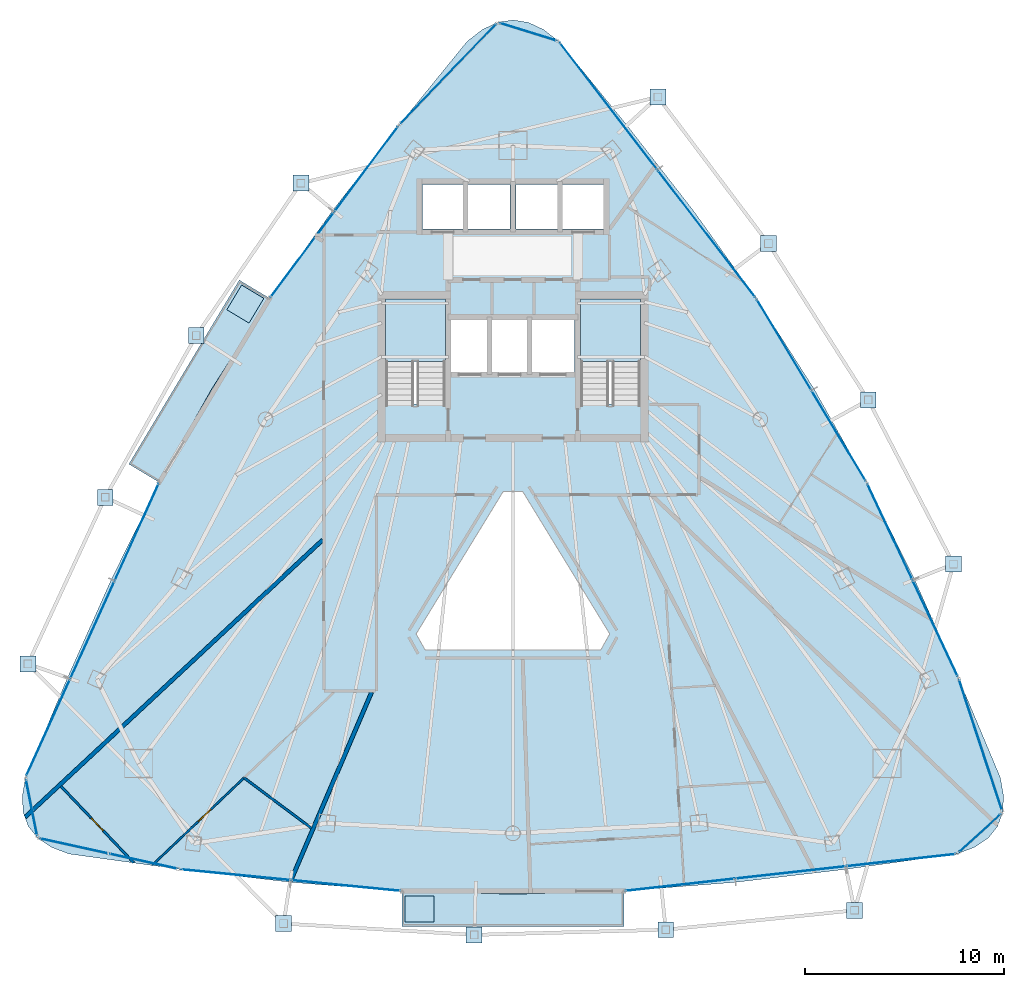
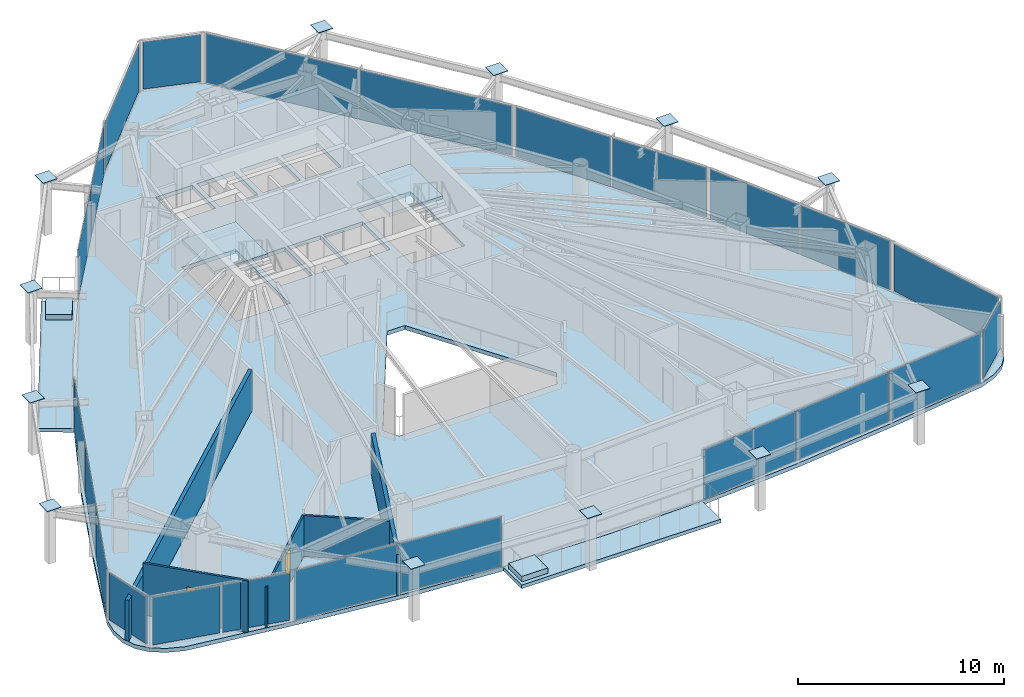
# One storey, part 23 of 29: 35 plates, 7 slabs, 5 walls, 2 doors, 2 openings, 15 elements without a shape of their own.
"""IFC4 building model written with IfcOpenShell, lengths in metres."""

from ifc_helpers import new_model, si_unit, direction, frame, frame_2d, origin, origin_2d, place, context, subcontext, project, spatial, polyline, rectangle, outline, extrude, material, layer, layer_set, type_object, element, fill, aggregate, save


model = new_model("IFC4")

# Units and contexts
model_context = context("Model", 3, precision=1e-05, world=origin(), true_north=direction((0.0, 1.0)))
body_context = subcontext(model_context, "Body", "Model", "MODEL_VIEW")
ifc_project = project(units=[si_unit("LENGTHUNIT", "METRE"), si_unit("AREAUNIT", "SQUARE_METRE"), si_unit("VOLUMEUNIT", "CUBIC_METRE"), si_unit("PLANEANGLEUNIT", "RADIAN"), si_unit("MASSUNIT", "GRAM", prefix="KILO")], contexts=[model_context])

# Site, building, storey
site_placement = place(None, origin())
site = spatial("IfcSite", under=ifc_project, at=site_placement, CompositionType="ELEMENT")
building_placement = place(site_placement, origin())
building = spatial("IfcBuilding", under=site, at=building_placement, Name="Orvanel Arch Residences", CompositionType="ELEMENT")
storey_placement = place(building_placement, frame((0.0, 0.0, 177.050048828125)))
storey = spatial("IfcBuildingStorey", under=building, at=storey_placement, Name="L50", CompositionType="ELEMENT", Elevation=177.050048828125)

# Plates
ifc_material_1 = material(Name="Structural steel AS/NZS 3678 Grade 350", Category="steel")
ifc_layer_1 = layer(ifc_material_1, 0.031982421875)
ifc_layer_set_1 = layer_set([ifc_layer_1], Name="Structural steel AS/NZS 3678 Grade 350")
plate_type_1 = type_object("IfcPlateType", Name="PL-CAP-32", PredefinedType="SHEET", material=ifc_layer_set_1)
for number, where, z_axis, x_axis, name in (
    (1, (22.343017578125, 39.511962890625, 3.2841796875), (0.0, 0.0, 1.0), (1.0, 0.0, 0.0), "L50 hollow member end cap plate"),
    (2, (17.0859375, 31.85302734375, 3.2841796875), (0.0, 0.0, 1.0), (1.0, 0.0, 0.0), "L50 hollow member end cap plate"),
    (3, (12.514892578125, 23.72802734375, 3.2841796875), (0.0, 0.0, 1.0), (1.0, 0.0, 0.0), "L50 hollow member end cap plate"),
    (4, (8.632080078125, 15.35888671875, 3.2841796875), (0.0, 0.0, 1.0), (1.0, 0.0, 0.0), "L50 hollow member end cap plate"),
    (5, (21.472900390625, 2.31201171875, 3.2841796875), (0.0, 0.0, 1.0), (1.0, 0.0, 0.0), "L50 hollow member end cap plate"),
    (6, (31.052978515625, 1.743896484375, 3.2841796875), (0.0, 0.0, 1.0), (1.0, 0.0, 0.0), "L50 hollow member end cap plate"),
    (7, (40.677978515625, 2.0029296875, 3.2841796875), (0.0, 0.0, 1.0), (1.0, 0.0, 0.0), "L50 hollow member end cap plate"),
    (8, (50.1630859375, 2.97705078125, 3.2841796875), (0.0, 0.0, 1.0), (1.0, 0.0, 0.0), "L50 hollow member end cap plate"),
    (9, (55.135986328125, 20.3759765625, 3.2841796875), (0.0, 0.0, 1.0), (1.0, 0.0, 0.0), "L50 hollow member end cap plate"),
    (10, (50.85400390625, 28.6201171875, 3.2841796875), (0.0, 0.0, 1.0), (1.0, 0.0, 0.0), "L50 hollow member end cap plate"),
    (11, (45.8369140625, 36.47802734375, 3.2841796875), (0.0, 0.0, 1.0), (1.0, 0.0, 0.0), "L50 hollow member end cap plate"),
    (12, (40.281982421875, 43.843994140625, 3.2841796875), (0.0, 0.0, 1.0), (1.0, 0.0, 0.0), "L50 hollow member end cap plate"),
):
    element("IfcPlate", number, at=place(storey_placement, frame(where, z_axis=z_axis, x_axis=x_axis)), inside=storey, type_object=plate_type_1, Name=name, PredefinedType="SHEET", context=body_context, shape_type="SweptSolid", body=[
        extrude(rectangle(XDim=0.800048828125, YDim=0.800048828125, at=origin_2d()), origin(), (0.0, 0.0, 1.0), 0.031982421875),
    ])

# Curtain wall, plates
ifc_material_2 = material(Name="Bronze-anodised aluminium AA6063-T6", Category="aluminium")
ifc_layer_2 = layer(ifc_material_2, 0.179931640625)
ifc_layer_set_2 = layer_set([ifc_layer_2], Name="Bronze-anodised aluminium AA6063-T6")
curtain_wall_type_1 = type_object("IfcCurtainWallType", Name="CW3-MID-SYS", PredefinedType="NOTDEFINED", material=ifc_layer_set_2)
curtain_wall_1_placement = place(storey_placement, origin())
curtain_wall_1 = element("IfcCurtainWall", 13, at=curtain_wall_1_placement, inside=storey, type_object=curtain_wall_type_1, Name="L50 CW3-MID-SYS Unitised Curtain Wall", PredefinedType="NOTDEFINED")
ifc_material_3 = material(Name="Double-glazed solar-control low-E safety glass", Category="glass")
ifc_layer_3 = layer(ifc_material_3, 0.028076171875)
ifc_layer_set_3 = layer_set([ifc_layer_3], Name="Double-glazed solar-control low-E safety glass")
plate_type_2 = type_object("IfcPlateType", Name="PNL-GLZ-28", PredefinedType="CURTAIN_PANEL", material=ifc_layer_set_3)
plate_1_placement = place(storey_placement, frame((25.62255859375, 40.218017578125, 0.06005859375), z_axis=(0.0, 0.0, 1.0), x_axis=(-0.598279718492, -0.801287325771, 0.0)))
plate_1 = element("IfcPlate", 14, at=plate_1_placement, type_object=plate_type_2, Name="CW-S3 panel 1.1", PredefinedType="CURTAIN_PANEL", context=body_context, shape_type="SweptSolid", body=[
    extrude(rectangle(XDim=5.293701171875, YDim=0.028076171875, at=origin_2d()), origin(), (0.0, 0.0, 1.0), 2.93994140625),
])
plate_2_placement = place(storey_placement, frame((22.41357421875, 35.919921875, 0.06005859375), z_axis=(0.0, 0.0, 1.0), x_axis=(-0.598279718492, -0.801287325771, 0.0)))
plate_2 = element("IfcPlate", 15, at=plate_2_placement, type_object=plate_type_2, Name="CW-S3 panel 2.1", PredefinedType="CURTAIN_PANEL", context=body_context, shape_type="SweptSolid", body=[
    extrude(rectangle(XDim=5.293701171875, YDim=0.028076171875, at=origin_2d()), origin(), (0.0, 0.0, 1.0), 2.93994140625),
])
aggregate(curtain_wall_1, [plate_1, plate_2])

curtain_wall_2_placement = place(storey_placement, origin())
curtain_wall_2 = element("IfcCurtainWall", 16, at=curtain_wall_2_placement, inside=storey, type_object=curtain_wall_type_1, Name="L50 CW3-MID-SYS Unitised Curtain Wall", PredefinedType="NOTDEFINED")
plate_3_placement = place(storey_placement, frame((14.09765625, 21.9814453125, 0.06005859375), z_axis=(0.0, 0.0, 1.0), x_axis=(-0.412726386119, -0.910855054441, 0.0)))
plate_3 = element("IfcPlate", 17, at=plate_3_placement, type_object=plate_type_2, Name="CW-S3 panel 1.1", PredefinedType="CURTAIN_PANEL", context=body_context, shape_type="SweptSolid", body=[
    extrude(rectangle(XDim=5.30859375, YDim=0.028076171875, at=origin_2d()), origin(), (0.0, 0.0, 1.0), 2.93994140625),
])
plate_4_placement = place(storey_placement, frame((11.87060546875, 17.06640625, 0.06005859375), z_axis=(0.0, 0.0, 1.0), x_axis=(-0.412726386119, -0.910855054441, 0.0)))
plate_4 = element("IfcPlate", 18, at=plate_4_placement, type_object=plate_type_2, Name="CW-S3 panel 2.1", PredefinedType="CURTAIN_PANEL", context=body_context, shape_type="SweptSolid", body=[
    extrude(rectangle(XDim=5.343505859375, YDim=0.028076171875, at=origin_2d()), origin(), (0.0, 0.0, 1.0), 2.93994140625),
])
plate_5_placement = place(storey_placement, frame((9.643310546875, 12.1513671875, 0.06005859375), z_axis=(0.0, 0.0, 1.0), x_axis=(-0.412726386119, -0.910855054441, 0.0)))
plate_5 = element("IfcPlate", 19, at=plate_5_placement, type_object=plate_type_2, Name="CW-S3 panel 3.1", PredefinedType="CURTAIN_PANEL", context=body_context, shape_type="SweptSolid", body=[
    extrude(rectangle(XDim=5.30859375, YDim=0.028076171875, at=origin_2d()), origin(), (0.0, 0.0, 1.0), 2.93994140625),
])
aggregate(curtain_wall_2, [plate_3, plate_4, plate_5])

curtain_wall_3_placement = place(storey_placement, origin())
curtain_wall_3 = element("IfcCurtainWall", 20, at=curtain_wall_3_placement, inside=storey, type_object=curtain_wall_type_1, Name="L50 CW3-MID-SYS Unitised Curtain Wall", PredefinedType="NOTDEFINED")
plate_6_placement = place(storey_placement, frame((19.081787109375, 4.761962890625, 0.06005859375), z_axis=(0.0, 0.0, 1.0), x_axis=(0.995236362912, -0.097491445455, 0.0)))
plate_6 = element("IfcPlate", 21, at=plate_6_placement, type_object=plate_type_2, Name="CW-S3 panel 1.1", PredefinedType="CURTAIN_PANEL", context=body_context, shape_type="SweptSolid", body=[
    extrude(rectangle(XDim=5.480224609375, YDim=0.028076171875, at=origin_2d()), origin(), (0.0, 0.0, 1.0), 2.93994140625),
])
plate_7_placement = place(storey_placement, frame((24.605224609375, 4.220947265625, 0.06005859375), z_axis=(0.0, 0.0, 1.0), x_axis=(0.995236362912, -0.097491445455, 0.0)))
plate_7 = element("IfcPlate", 22, at=plate_7_placement, type_object=plate_type_2, Name="CW-S3 panel 2.1", PredefinedType="CURTAIN_PANEL", context=body_context, shape_type="SweptSolid", body=[
    extrude(rectangle(XDim=5.480224609375, YDim=0.028076171875, at=origin_2d()), origin(), (0.0, 0.0, 1.0), 2.93994140625),
])
aggregate(curtain_wall_3, [plate_6, plate_7])

curtain_wall_4_placement = place(storey_placement, origin())
curtain_wall_4 = element("IfcCurtainWall", 23, at=curtain_wall_4_placement, inside=storey, type_object=curtain_wall_type_1, Name="L50 CW3-MID-SYS Unitised Curtain Wall", PredefinedType="NOTDEFINED")
plate_8_placement = place(storey_placement, frame((41.39794921875, 4.25927734375, 0.06005859375), z_axis=(0.0, 0.0, 1.0), x_axis=(0.993838645003, 0.110836581045, 0.0)))
plate_8 = element("IfcPlate", 24, at=plate_8_placement, type_object=plate_type_2, Name="CW-S3 panel 1.1", PredefinedType="CURTAIN_PANEL", context=body_context, shape_type="SweptSolid", body=[
    extrude(rectangle(XDim=5.494873046875, YDim=0.028076171875, at=origin_2d()), origin(), (0.0, 0.0, 1.0), 2.93994140625),
])
plate_9_placement = place(storey_placement, frame((46.946044921875, 4.8779296875, 0.06005859375), z_axis=(0.0, 0.0, 1.0), x_axis=(0.993838645003, 0.110836581045, 0.0)))
plate_9 = element("IfcPlate", 25, at=plate_9_placement, type_object=plate_type_2, Name="CW-S3 panel 2.1", PredefinedType="CURTAIN_PANEL", context=body_context, shape_type="SweptSolid", body=[
    extrude(rectangle(XDim=5.52978515625, YDim=0.028076171875, at=origin_2d()), origin(), (0.0, 0.0, 1.0), 2.93994140625),
])
plate_10_placement = place(storey_placement, frame((52.493896484375, 5.496826171875, 0.06005859375), z_axis=(0.0, 0.0, 1.0), x_axis=(0.993838645003, 0.110836581045, 0.0)))
plate_10 = element("IfcPlate", 26, at=plate_10_placement, type_object=plate_type_2, Name="CW-S3 panel 3.1", PredefinedType="CURTAIN_PANEL", context=body_context, shape_type="SweptSolid", body=[
    extrude(rectangle(XDim=5.494873046875, YDim=0.028076171875, at=origin_2d()), origin(), (0.0, 0.0, 1.0), 2.93994140625),
])
aggregate(curtain_wall_4, [plate_8, plate_9, plate_10])

curtain_wall_5_placement = place(storey_placement, origin())
curtain_wall_5 = element("IfcCurtainWall", 27, at=curtain_wall_5_placement, inside=storey, type_object=curtain_wall_type_1, Name="L50 CW3-MID-SYS Unitised Curtain Wall", PredefinedType="NOTDEFINED")
plate_11_placement = place(storey_placement, frame((54.21484375, 17.14990234375, 0.06005859375), z_axis=(0.0, 0.0, 1.0), x_axis=(-0.425221547533, 0.905089296983, 0.0)))
plate_11 = element("IfcPlate", 28, at=plate_11_placement, type_object=plate_type_2, Name="CW-S3 panel 1.1", PredefinedType="CURTAIN_PANEL", context=body_context, shape_type="SweptSolid", body=[
    extrude(rectangle(XDim=5.29345703125, YDim=0.028076171875, at=origin_2d()), origin(), (0.0, 0.0, 1.0), 2.93994140625),
])
plate_12_placement = place(storey_placement, frame((51.93408203125, 22.004150390625, 0.06005859375), z_axis=(0.0, 0.0, 1.0), x_axis=(-0.425221547533, 0.905089296983, 0.0)))
plate_12 = element("IfcPlate", 29, at=plate_12_placement, type_object=plate_type_2, Name="CW-S3 panel 2.1", PredefinedType="CURTAIN_PANEL", context=body_context, shape_type="SweptSolid", body=[
    extrude(rectangle(XDim=5.29345703125, YDim=0.028076171875, at=origin_2d()), origin(), (0.0, 0.0, 1.0), 2.93994140625),
])
aggregate(curtain_wall_5, [plate_11, plate_12])

curtain_wall_6_placement = place(storey_placement, origin())
curtain_wall_6 = element("IfcCurtainWall", 30, at=curtain_wall_6_placement, inside=storey, type_object=curtain_wall_type_1, Name="L50 CW3-MID-SYS Unitised Curtain Wall", PredefinedType="NOTDEFINED")
plate_13_placement = place(storey_placement, frame((49.369384765625, 26.81591796875, 0.06005859375), z_axis=(0.0, 0.0, 1.0), x_axis=(-0.514413615102, 0.857542204558, 0.0)))
plate_13 = element("IfcPlate", 31, at=plate_13_placement, type_object=plate_type_2, Name="CW-S3 panel 1.1", PredefinedType="CURTAIN_PANEL", context=body_context, shape_type="SweptSolid", body=[
    extrude(rectangle(XDim=5.26611328125, YDim=0.028076171875, at=origin_2d()), origin(), (0.0, 0.0, 1.0), 2.93994140625),
])
plate_14_placement = place(storey_placement, frame((46.62451171875, 31.39208984375, 0.06005859375), z_axis=(0.0, 0.0, 1.0), x_axis=(-0.514413615102, 0.857542204558, 0.0)))
plate_14 = element("IfcPlate", 32, at=plate_14_placement, type_object=plate_type_2, Name="CW-S3 panel 2.1", PredefinedType="CURTAIN_PANEL", context=body_context, shape_type="SweptSolid", body=[
    extrude(rectangle(XDim=5.26611328125, YDim=0.028076171875, at=origin_2d()), origin(), (0.0, 0.0, 1.0), 2.93994140625),
])
aggregate(curtain_wall_6, [plate_13, plate_14])

curtain_wall_7_placement = place(storey_placement, origin())
curtain_wall_7 = element("IfcCurtainWall", 33, at=curtain_wall_7_placement, inside=storey, type_object=curtain_wall_type_1, Name="L50 CW3-MID-SYS Unitised Curtain Wall", PredefinedType="NOTDEFINED")
plate_15_placement = place(storey_placement, frame((42.727294921875, 36.976318359375, 0.06005859375), z_axis=(0.0, 0.0, 1.0), x_axis=(-0.60931790608, 0.792926030176, 0.0)))
plate_15 = element("IfcPlate", 34, at=plate_15_placement, type_object=plate_type_2, Name="CW-S3 panel 1.1", PredefinedType="CURTAIN_PANEL", context=body_context, shape_type="SweptSolid", body=[
    extrude(rectangle(XDim=8.015625, YDim=0.028076171875, at=origin_2d()), origin(), (0.0, 0.0, 1.0), 2.93994140625),
])
plate_16_placement = place(storey_placement, frame((37.80078125, 43.3876953125, 0.06005859375), z_axis=(0.0, 0.0, 1.0), x_axis=(-0.60931790608, 0.792926030176, 0.0)))
plate_16 = element("IfcPlate", 35, at=plate_16_placement, type_object=plate_type_2, Name="CW-S3 panel 2.1", PredefinedType="CURTAIN_PANEL", context=body_context, shape_type="SweptSolid", body=[
    extrude(rectangle(XDim=8.015625, YDim=0.028076171875, at=origin_2d()), origin(), (0.0, 0.0, 1.0), 2.93994140625),
])
aggregate(curtain_wall_7, [plate_15, plate_16])

# Curtain wall, plate
ifc_layer_4 = layer(ifc_material_2, 0.18994140625)
ifc_layer_set_4 = layer_set([ifc_layer_4], Name="Bronze-anodised aluminium AA6063-T6")
curtain_wall_type_2 = type_object("IfcCurtainWallType", Name="CW5-CRN-SYS", PredefinedType="NOTDEFINED", material=ifc_layer_set_4)
curtain_wall_8_placement = place(storey_placement, origin())
curtain_wall_8 = element("IfcCurtainWall", 36, at=curtain_wall_8_placement, inside=storey, type_object=curtain_wall_type_2, Name="L50 CW5-CRN-SYS Unitised Curtain Wall", PredefinedType="NOTDEFINED")
ifc_layer_5 = layer(ifc_material_3, 0.031982421875)
ifc_layer_set_5 = layer_set([ifc_layer_5], Name="Double-glazed solar-control low-E safety glass")
plate_type_3 = type_object("IfcPlateType", Name="PNL-GLZ-32", PredefinedType="CURTAIN_PANEL", material=ifc_layer_set_5)
plate_17_placement = place(storey_placement, frame((33.76806640625, 47.114990234375, 0.1298828125), z_axis=(0.0, 0.0, 1.0), x_axis=(-0.954848840778, 0.29709205857, 0.0)))
plate_17 = element("IfcPlate", 37, at=plate_17_placement, type_object=plate_type_3, Name="CW-S5 panel 1.1", PredefinedType="CURTAIN_PANEL", context=body_context, shape_type="SweptSolid", body=[
    extrude(rectangle(XDim=2.87744140625, YDim=0.031982421875, at=origin_2d()), origin(), (0.0, 0.0, 1.0), 2.800048828125),
])
aggregate(curtain_wall_8, [plate_17])

curtain_wall_9_placement = place(storey_placement, origin())
curtain_wall_9 = element("IfcCurtainWall", 38, at=curtain_wall_9_placement, inside=storey, type_object=curtain_wall_type_2, Name="L50 CW5-CRN-SYS Unitised Curtain Wall", PredefinedType="NOTDEFINED")
plate_18_placement = place(storey_placement, frame((29.74609375, 45.001953125, 0.1298828125), z_axis=(0.0, 0.0, 1.0), x_axis=(-0.692251972055, -0.721655878647, 0.0)))
plate_18 = element("IfcPlate", 39, at=plate_18_placement, type_object=plate_type_3, Name="CW-S5 panel 1.1", PredefinedType="CURTAIN_PANEL", context=body_context, shape_type="SweptSolid", body=[
    extrude(rectangle(XDim=6.841796875, YDim=0.031982421875, at=origin_2d()), origin(), (0.0, 0.0, 1.0), 2.800048828125),
])
aggregate(curtain_wall_9, [plate_18])

curtain_wall_10_placement = place(storey_placement, origin())
curtain_wall_10 = element("IfcCurtainWall", 40, at=curtain_wall_10_placement, inside=storey, type_object=curtain_wall_type_2, Name="L50 CW5-CRN-SYS Unitised Curtain Wall", PredefinedType="NOTDEFINED")
plate_19_placement = place(storey_placement, frame((8.81396484375, 8.132568359375, 0.1298828125), z_axis=(0.0, 0.0, 1.0), x_axis=(0.19555012898, -0.980693707054, 0.0)))
plate_19 = element("IfcPlate", 41, at=plate_19_placement, type_object=plate_type_3, Name="CW-S5 panel 1.1", PredefinedType="CURTAIN_PANEL", context=body_context, shape_type="SweptSolid", body=[
    extrude(rectangle(XDim=2.758056640625, YDim=0.031982421875, at=origin_2d()), origin(), (0.0, 0.0, 1.0), 2.800048828125),
])
aggregate(curtain_wall_10, [plate_19])

# Curtain wall, plates
curtain_wall_11_placement = place(storey_placement, origin())
curtain_wall_11 = element("IfcCurtainWall", 42, at=curtain_wall_11_placement, inside=storey, type_object=curtain_wall_type_2, Name="L50 CW5-CRN-SYS Unitised Curtain Wall", PredefinedType="NOTDEFINED")
plate_20_placement = place(storey_placement, frame((10.95068359375, 6.209228515625, 0.1298828125), z_axis=(0.0, 0.0, 1.0), x_axis=(0.97655096553, -0.2152863482, 0.0)))
plate_20 = element("IfcPlate", 43, at=plate_20_placement, type_object=plate_type_3, Name="CW-S5 panel 1.1", PredefinedType="CURTAIN_PANEL", context=body_context, shape_type="SweptSolid", body=[
    extrude(rectangle(XDim=3.414306640625, YDim=0.031982421875, at=origin_2d()), origin(), (0.0, 0.0, 1.0), 2.800048828125),
])
plate_21_placement = place(storey_placement, frame((14.431396484375, 5.44189453125, 0.1298828125), z_axis=(0.0, 0.0, 1.0), x_axis=(0.97655096553, -0.2152863482, 0.0)))
plate_21 = element("IfcPlate", 44, at=plate_21_placement, type_object=plate_type_3, Name="CW-S5 panel 2.1", PredefinedType="CURTAIN_PANEL", context=body_context, shape_type="SweptSolid", body=[
    extrude(rectangle(XDim=3.414306640625, YDim=0.031982421875, at=origin_2d()), origin(), (0.0, 0.0, 1.0), 2.800048828125),
])
aggregate(curtain_wall_11, [plate_20, plate_21])

# Curtain wall, plate
curtain_wall_12_placement = place(storey_placement, origin())
curtain_wall_12 = element("IfcCurtainWall", 45, at=curtain_wall_12_placement, inside=storey, type_object=curtain_wall_type_2, Name="L50 CW5-CRN-SYS Unitised Curtain Wall", PredefinedType="NOTDEFINED")
plate_22_placement = place(storey_placement, frame((56.4609375, 6.8525390625, 0.1298828125), z_axis=(0.0, 0.0, 1.0), x_axis=(0.740132345266, 0.672461234192, 0.0)))
plate_22 = element("IfcPlate", 46, at=plate_22_placement, type_object=plate_type_3, Name="CW-S5 panel 1.1", PredefinedType="CURTAIN_PANEL", context=body_context, shape_type="SweptSolid", body=[
    extrude(rectangle(XDim=2.759033203125, YDim=0.031982421875, at=origin_2d()), origin(), (0.0, 0.0, 1.0), 2.800048828125),
])
aggregate(curtain_wall_12, [plate_22])

curtain_wall_13_placement = place(storey_placement, origin())
curtain_wall_13 = element("IfcCurtainWall", 47, at=curtain_wall_13_placement, inside=storey, type_object=curtain_wall_type_2, Name="L50 CW5-CRN-SYS Unitised Curtain Wall", PredefinedType="NOTDEFINED")
plate_23_placement = place(storey_placement, frame((56.493408203125, 11.283447265625, 0.1298828125), z_axis=(0.0, 0.0, 1.0), x_axis=(-0.312420373744, 0.949943951015, 0.0)))
plate_23 = element("IfcPlate", 48, at=plate_23_placement, type_object=plate_type_3, Name="CW-S5 panel 1.1", PredefinedType="CURTAIN_PANEL", context=body_context, shape_type="SweptSolid", body=[
    extrude(rectangle(XDim=6.796142578125, YDim=0.031982421875, at=origin_2d()), origin(), (0.0, 0.0, 1.0), 2.800048828125),
])
aggregate(curtain_wall_13, [plate_23])

# Slabs
ifc_material_4 = material(Name="Concrete N40 (40 MPa)", Category="concrete")
ifc_layer_6 = layer(ifc_material_4, 0.215087890625)
ifc_layer_set_6 = layer_set([ifc_layer_6], Name="Concrete N40 (40 MPa)")
slab_type_1 = type_object("IfcSlabType", Name="SLB-BAL-215", PredefinedType="FLOOR", material=ifc_layer_set_6)
slab_1_placement = place(storey_placement, frame((0.0, 0.0, -0.215087890625)))
element("IfcSlab", 49, at=slab_1_placement, inside=storey, type_object=slab_type_1, Name="L50 Cantilevered Balcony Slab Face 1", PredefinedType="FLOOR", context=body_context, shape_type="SweptSolid", body=[
    extrude(outline(polyline([(19.25, 34.64306640625), (13.7041015625, 25.39697265625), (15.22998046875, 24.48095703125), (17.87109375, 29.18310546875), (20.77587890625, 33.72705078125), (19.25, 34.64306640625)])), origin(), (0.0, 0.0, 1.0), 0.215087890625),
])
slab_2_placement = place(storey_placement, frame((0.0, 0.0, -0.215087890625)))
element("IfcSlab", 50, at=slab_2_placement, inside=storey, type_object=slab_type_1, Name="L50 Cantilevered Balcony Slab Face 2", PredefinedType="FLOOR", context=body_context, shape_type="SweptSolid", body=[
    extrude(outline(polyline([(27.422119140625, 2.1650390625), (38.577880859375, 2.1650390625), (38.577880859375, 3.945068359375), (33.0, 3.791015625), (27.422119140625, 3.945068359375), (27.422119140625, 2.1650390625)])), origin(), (0.0, 0.0, 1.0), 0.215087890625),
])

# Stair, slab
ifc_material_5 = material(Name="Precast concrete N50 (50 MPa)", Category="concrete")
stair_type = type_object("IfcStairType", Name="STR-DOG-184", PredefinedType="USERDEFINED", material=ifc_material_5)
stair_1_placement = place(storey_placement, origin())
stair_1 = element("IfcStair", 51, at=stair_1_placement, inside=storey, type_object=stair_type, Name="L50 Fire-Isolated Core Exit Stair 1", ObjectType="TWO_RETURN_STAIR", PredefinedType="USERDEFINED")
ifc_layer_7 = layer(ifc_material_4, 0.199951171875)
ifc_layer_set_7 = layer_set([ifc_layer_7], Name="Concrete N40 (40 MPa)")
slab_type_2 = type_object("IfcSlabType", Name="SLB-LND-200", PredefinedType="LANDING", material=ifc_layer_set_7)
slab_3_placement = place(storey_placement, frame((0.0, 0.0, 1.449951171875)))
slab_3 = element("IfcSlab", 52, at=slab_3_placement, type_object=slab_type_2, Name="ST-1 landing 1", PredefinedType="LANDING", context=body_context, shape_type="SweptSolid", body=[
    extrude(outline(polyline([(29.60009765625, 30.56005859375), (29.60009765625, 33.699951171875), (26.60009765625, 33.699951171875), (26.60009765625, 30.56005859375), (29.60009765625, 30.56005859375)])), origin(), (0.0, 0.0, 1.0), 0.199951171875),
])
aggregate(stair_1, [slab_3])

stair_2_placement = place(storey_placement, origin())
stair_2 = element("IfcStair", 53, at=stair_2_placement, inside=storey, type_object=stair_type, Name="L50 Fire-Isolated Core Exit Stair 2", ObjectType="TWO_RETURN_STAIR", PredefinedType="USERDEFINED")
slab_4_placement = place(storey_placement, frame((0.0, 0.0, 1.449951171875)))
slab_4 = element("IfcSlab", 54, at=slab_4_placement, type_object=slab_type_2, Name="ST-2 landing 1", PredefinedType="LANDING", context=body_context, shape_type="SweptSolid", body=[
    extrude(outline(polyline([(39.39990234375, 30.56005859375), (39.39990234375, 33.699951171875), (36.39990234375, 33.699951171875), (36.39990234375, 30.56005859375), (39.39990234375, 30.56005859375)])), origin(), (0.0, 0.0, 1.0), 0.199951171875),
])
aggregate(stair_2, [slab_4])

# Slabs
ifc_material_6 = material(Name="Structural architectural precast concrete N40 (40 MPa) planter", Category="concrete")
ifc_layer_8 = layer(ifc_material_6, 0.320068359375)
ifc_layer_set_8 = layer_set([ifc_layer_8], Name="Structural architectural precast concrete N40 (40 MPa) planter")
slab_type_3 = type_object("IfcSlabType", Name="SLB-PLN-320", PredefinedType="USERDEFINED", material=ifc_layer_set_8)
slab_5_placement = place(storey_placement, origin())
element("IfcSlab", 55, at=slab_5_placement, inside=storey, type_object=slab_type_3, Name="L50 Balcony TREE PLANTER Face 1", ObjectType="PLANTER", PredefinedType="USERDEFINED", context=body_context, shape_type="SweptSolid", body=[
    extrude(outline(polyline([(19.3701171875, 34.39599609375), (18.6240234375, 33.153076171875), (19.739013671875, 32.48388671875), (20.485107421875, 33.72705078125), (19.3701171875, 34.39599609375)])), origin(), (0.0, 0.0, 1.0), 0.320068359375),
])
slab_6_placement = place(storey_placement, origin())
element("IfcSlab", 56, at=slab_6_placement, inside=storey, type_object=slab_type_3, Name="L50 Balcony TREE PLANTER Face 2", ObjectType="PLANTER", PredefinedType="USERDEFINED", context=body_context, shape_type="SweptSolid", body=[
    extrude(outline(polyline([(27.572021484375, 2.39501953125), (29.02197265625, 2.39501953125), (29.02197265625, 3.695068359375), (27.572021484375, 3.695068359375), (27.572021484375, 2.39501953125)])), origin(), (0.0, 0.0, 1.0), 0.320068359375),
])
ifc_layer_9 = layer(ifc_material_4, 0.239990234375)
ifc_layer_set_9 = layer_set([ifc_layer_9], Name="Concrete N40 (40 MPa)")
slab_type_4 = type_object("IfcSlabType", Name="SLB-TYP-240", PredefinedType="FLOOR", material=ifc_layer_set_9)
slab_7_placement = place(storey_placement, frame((0.0, 0.0, -0.239990234375)))
element("IfcSlab", 57, at=slab_7_placement, inside=storey, type_object=slab_type_4, Name="L50 Tower Floor Slab", PredefinedType="FLOOR", context=body_context, shape_type="SweptSolid", body=[
    extrude(outline(polyline([(35.303955078125, 46.636962890625), (34.535888671875, 47.23388671875), (33.76806640625, 47.593017578125), (33.0, 47.7119140625), (32.23193359375, 47.593017578125), (31.464111328125, 47.23388671875), (30.696044921875, 46.636962890625), (27.260009765625, 42.410888671875), (23.925048828125, 38.125), (20.77587890625, 33.72705078125), (17.87109375, 29.18310546875), (15.22998046875, 24.48095703125), (12.83203125, 19.633056640625), (10.62109375, 14.673095703125), (8.510986328125, 9.652099609375), (8.345947265625, 8.712890625), (8.39208984375, 7.89404296875), (8.64892578125, 7.194091796875), (9.116943359375, 6.613037109375), (9.7958984375, 6.152099609375), (10.68603515625, 5.81103515625), (16.264892578125, 5.0380859375), (21.843017578125, 4.383056640625), (27.422119140625, 3.945068359375), (33.0, 3.791015625), (38.577880859375, 3.945068359375), (44.156982421875, 4.383056640625), (49.735107421875, 5.0380859375), (55.31396484375, 5.81103515625), (56.2041015625, 6.152099609375), (56.883056640625, 6.613037109375), (57.35107421875, 7.194091796875), (57.60791015625, 7.89404296875), (57.654052734375, 8.712890625), (57.489013671875, 9.652099609375), (55.37890625, 14.673095703125), (53.16796875, 19.633056640625), (50.77001953125, 24.48095703125), (48.12890625, 29.18310546875), (45.22412109375, 33.72705078125), (42.074951171875, 38.125), (38.739990234375, 42.410888671875), (35.303955078125, 46.636962890625)]), holes=[polyline([(26.60009765625, 28.429931640625), (26.60009765625, 33.699951171875), (29.60009765625, 33.699951171875), (29.60009765625, 28.429931640625), (26.60009765625, 28.429931640625)]), polyline([(36.39990234375, 28.429931640625), (36.39990234375, 33.699951171875), (39.39990234375, 33.699951171875), (39.39990234375, 28.429931640625), (36.39990234375, 28.429931640625)]), polyline([(29.89990234375, 32.64990234375), (31.75, 32.64990234375), (31.75, 29.949951171875), (29.89990234375, 29.949951171875), (29.89990234375, 32.64990234375)]), polyline([(31.89990234375, 32.64990234375), (33.75, 32.64990234375), (33.75, 29.949951171875), (31.89990234375, 29.949951171875), (31.89990234375, 32.64990234375)]), polyline([(33.89990234375, 32.64990234375), (36.10009765625, 32.64990234375), (36.10009765625, 29.949951171875), (33.89990234375, 29.949951171875), (33.89990234375, 32.64990234375)]), polyline([(28.449951171875, 39.449951171875), (30.5, 39.449951171875), (30.5, 37.199951171875), (28.449951171875, 37.199951171875), (28.449951171875, 39.449951171875)]), polyline([(35.5, 39.449951171875), (37.550048828125, 39.449951171875), (37.550048828125, 37.199951171875), (35.5, 37.199951171875), (35.5, 39.449951171875)]), polyline([(30.75, 39.449951171875), (32.85009765625, 39.449951171875), (32.85009765625, 37.199951171875), (30.75, 37.199951171875), (30.75, 39.449951171875)]), polyline([(33.14990234375, 39.449951171875), (35.25, 39.449951171875), (35.25, 37.199951171875), (33.14990234375, 37.199951171875), (33.14990234375, 39.449951171875)]), polyline([(37.865966796875, 16.865966796875), (37.4130859375, 16.05908203125), (28.5869140625, 16.05908203125), (28.134033203125, 16.865966796875), (32.507080078125, 24.01904296875), (33.492919921875, 24.01904296875), (37.865966796875, 16.865966796875)])]), origin(), (0.0, 0.0, 1.0), 0.239990234375),
])

# Walls
ifc_material_7 = material(Name="Fire-rated plasterboard lined steel stud partition", Category="steel")
ifc_layer_10 = layer(ifc_material_7, 0.199951171875)
ifc_layer_set_10 = layer_set([ifc_layer_10], Name="Fire-rated plasterboard lined steel stud partition")
wall_type_1 = type_object("IfcWallType", Name="W-DEM-200", PredefinedType="PARTITIONING", material=ifc_layer_set_10)
wall_1_placement = place(storey_placement, frame((23.43994140625, 21.590087890625, 0.0), z_axis=(0.0, 0.0, 1.0), x_axis=(-0.731574776166, -0.681761209572, 0.0)))
element("IfcWall", 58, at=wall_1_placement, inside=storey, type_object=wall_type_1, Name="L50 Inter-Tenancy Acoustic Demising Wall", PredefinedType="PARTITIONING", context=body_context, shape_type="SweptSolid", body=[
    extrude(rectangle(XDim=20.4326171875, YDim=0.199951171875, at=frame_2d((10.21630859375, 0.0))), origin(), (0.0, 0.0, 1.0), 2.412841796875),
])
wall_2_placement = place(storey_placement, frame((25.90087890625, 13.93994140625, 0.0), z_axis=(0.0, 0.0, 1.0), x_axis=(-0.394055564824, -0.919086618242, 0.0)))
element("IfcWall", 59, at=wall_2_placement, inside=storey, type_object=wall_type_1, Name="L50 Inter-Tenancy Acoustic Demising Wall", PredefinedType="PARTITIONING", context=body_context, shape_type="SweptSolid", body=[
    extrude(rectangle(XDim=10.37890625, YDim=0.199951171875, at=frame_2d((5.189453125, 0.0))), origin(), (0.0, 0.0, 1.0), 2.412841796875),
])

# Wall, opening, door
ifc_material_8 = material(Name="Acoustic plasterboard lined twin-stud partition", Category="gypsum")
ifc_layer_11 = layer(ifc_material_8, 0.10009765625)
ifc_layer_set_11 = layer_set([ifc_layer_11], Name="Acoustic plasterboard lined twin-stud partition")
wall_type_2 = type_object("IfcWallType", Name="W-INT-100", PredefinedType="PARTITIONING", material=ifc_layer_set_11)
wall_3_placement = place(storey_placement, frame((19.489990234375, 9.634033203125, 0.0), z_axis=(0.0, 0.0, 1.0), x_axis=(-0.724311078703, -0.68947332165, 0.0)))
wall_3 = element("IfcWall", 60, at=wall_3_placement, inside=storey, type_object=wall_type_2, Name="L50 Flat C Internal Partition", PredefinedType="PARTITIONING", context=body_context, shape_type="SweptSolid", body=[
    extrude(rectangle(XDim=6.3701171875, YDim=0.10009765625, at=frame_2d((3.18505859375, 0.0))), origin(), (0.0, 0.0, 1.0), 2.412841796875),
])
opening_1_placement = place(wall_3_placement, frame((2.300048828125, 0.0, 0.0)))
opening_1 = element("IfcOpeningElement", 61, at=opening_1_placement, cuts=wall_3, Name="Opening DI-088", PredefinedType="OPENING", context=body_context, shape_type="SweptSolid", body=[
    extrude(rectangle(XDim=0.8798828125, YDim=2.10009765625, at=frame_2d((0.43994140625, 1.050048828125))), frame((0.0, 0.06005859375, 0.0), z_axis=(0.0, -1.0, 0.0), x_axis=(1.0, 0.0, 0.0)), (0.0, 0.0, 1.0), 0.1201171875),
])
ifc_material_9 = material(Name="Solid-core European oak veneer fire door leaf", Category="wood")
door_type = type_object("IfcDoorType", Name="DR-INT-880", OperationType="NOTDEFINED", PredefinedType="DOOR", material=ifc_material_9)
door_1_placement = place(opening_1_placement, origin())
door_1 = element("IfcDoor", 62, at=door_1_placement, inside=storey, type_object=door_type, Name="DR-L50-C-BED1 L50 Flat C Bedroom 1 Door", OperationType="SINGLE_SWING_LEFT", OverallHeight=2.10009765625, OverallWidth=0.8798828125, PredefinedType="DOOR", context=body_context, shape_type="SweptSolid", body=[
    extrude(rectangle(XDim=0.8798828125, YDim=2.10009765625, at=frame_2d((0.43994140625, 1.050048828125))), frame((0.0, 0.02490234375, 0.0), z_axis=(0.0, -1.0, 0.0), x_axis=(1.0, 0.0, 0.0)), (0.0, 0.0, 1.0), 0.050048828125),
])
fill(opening_1, door_1)

ifc_layer_12 = layer(ifc_material_8, 0.1201171875)
ifc_layer_set_12 = layer_set([ifc_layer_12], Name="Acoustic plasterboard lined twin-stud partition")
wall_type_3 = type_object("IfcWallType", Name="W-WET-120", PredefinedType="PARTITIONING", material=ifc_layer_set_12)
wall_4_placement = place(storey_placement, frame((13.947021484375, 5.368896484375, 0.0), z_axis=(0.0, 0.0, 1.0), x_axis=(-0.689563334415, 0.724225384691, 0.0)))
wall_4 = element("IfcWall", 63, at=wall_4_placement, inside=storey, type_object=wall_type_3, Name="L50 Flat C Internal Partition", PredefinedType="PARTITIONING", context=body_context, shape_type="SweptSolid", body=[
    extrude(rectangle(XDim=5.310791015625, YDim=0.1201171875, at=frame_2d((2.6552734375, 0.0))), origin(), (0.0, 0.0, 1.0), 3.06005859375),
])
opening_2_placement = place(wall_4_placement, frame((2.215087890625, 0.0, 0.0)))
opening_2 = element("IfcOpeningElement", 64, at=opening_2_placement, cuts=wall_4, Name="Opening DI-088", PredefinedType="OPENING", context=body_context, shape_type="SweptSolid", body=[
    extrude(rectangle(XDim=0.8798828125, YDim=2.10009765625, at=frame_2d((0.43994140625, 1.050048828125))), frame((0.0, 0.070068359375, 0.0), z_axis=(0.0, -1.0, 0.0), x_axis=(1.0, 0.0, 0.0)), (0.0, 0.0, 1.0), 0.14013671875),
])
door_2_placement = place(opening_2_placement, origin())
door_2 = element("IfcDoor", 65, at=door_2_placement, inside=storey, type_object=door_type, Name="DR-L50-C-KIT L50 Flat C Kitchen Door", OperationType="SINGLE_SWING_LEFT", OverallHeight=2.10009765625, OverallWidth=0.8798828125, PredefinedType="DOOR", context=body_context, shape_type="SweptSolid", body=[
    extrude(rectangle(XDim=0.8798828125, YDim=2.10009765625, at=frame_2d((0.43994140625, 1.050048828125))), frame((0.0, 0.02490234375, 0.0), z_axis=(0.0, -1.0, 0.0), x_axis=(1.0, 0.0, 0.0)), (0.0, 0.0, 1.0), 0.050048828125),
])
fill(opening_2, door_2)

# Wall
wall_5_placement = place(storey_placement, frame((22.876953125, 7.10302734375, 0.0), z_axis=(0.0, 0.0, 1.0), x_axis=(-0.801045056039, 0.598604057951, 0.0)))
element("IfcWall", 66, at=wall_5_placement, inside=storey, type_object=wall_type_3, Name="L50 Flat C Bathroom Partition", PredefinedType="PARTITIONING", context=body_context, shape_type="SweptSolid", body=[
    extrude(rectangle(XDim=4.228271484375, YDim=0.1201171875, at=frame_2d((2.1142578125, 0.0))), origin(), (0.0, 0.0, 1.0), 2.412841796875),
])

save(model, "model.ifc")
